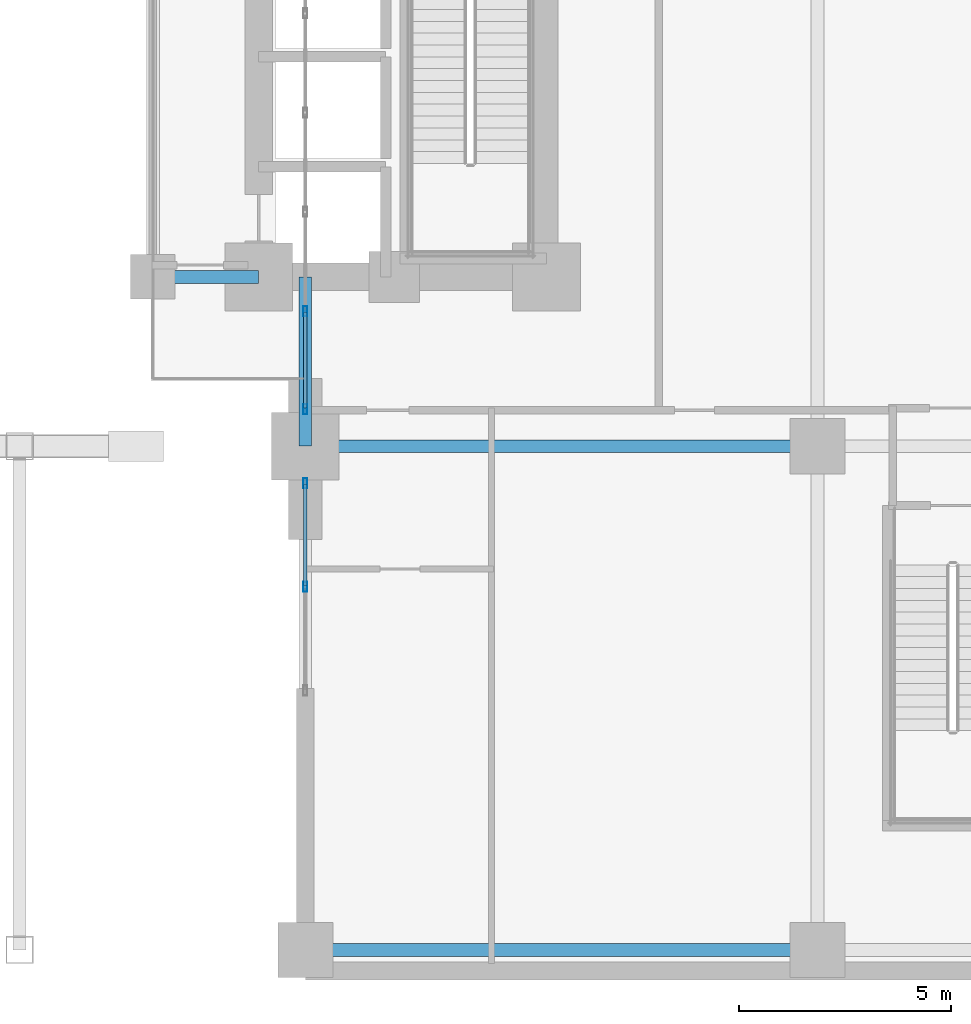
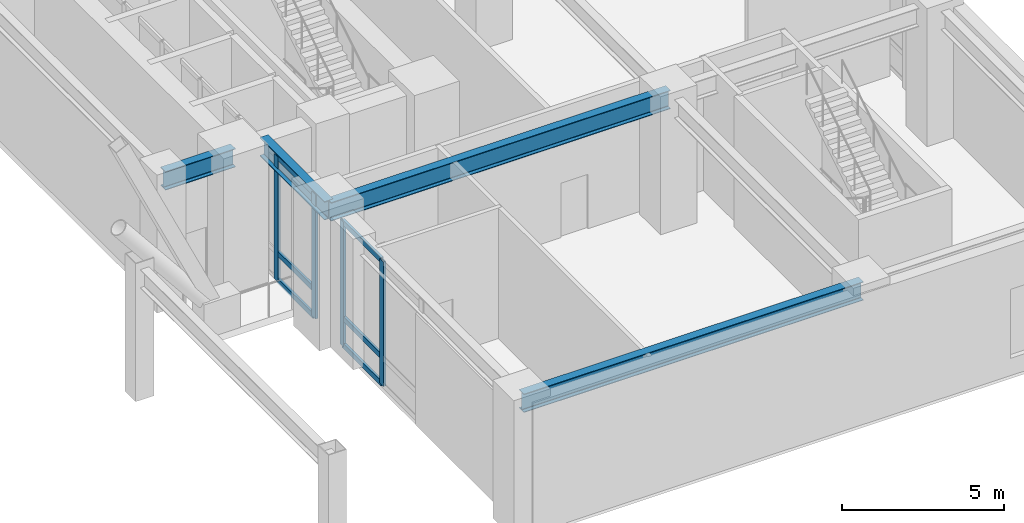
# One storey, part 7 of 26: 10 members, 4 beams, 2 elements without a shape of their own.
"""IFC4 building model written with IfcOpenShell, lengths in metres."""

import ifcopenshell
import ifcopenshell.guid

model = None  # the IFC model being written
_history = None  # IfcOwnerHistory: only IFC2X3 demands one
_inside = {}  # id of a spatial element -> (the spatial element, [elements in it])
_under = {}  # id of a project, library or spatial element -> (it, [spatial elements below it])
_declared = {}  # id of a project -> (the project, [libraries it declares])
_typed = {}  # id of a type object -> (the type object, [elements of that type])
_made_of = {}  # id of a material, layer set ... -> (it, [elements and type objects made of it])


def new_model(schema):
    """Start an empty IFC model of exactly this schema.

    Asked for "IFC4X3", IfcOpenShell would pick the latest addendum, in which some entities
    have other attributes; the version numbers below select the first issue.
    IFC2X3 requires an IfcOwnerHistory on every rooted entity: one is made here for all.
    """
    global model, _history
    if schema == "IFC4X3":
        model = ifcopenshell.file(schema_version=(4, 3, 0, 0))
    else:
        model = ifcopenshell.file(schema=schema)
    _inside.clear()
    _under.clear()
    _declared.clear()
    _typed.clear()
    _made_of.clear()
    _history = None
    if model.schema == "IFC2X3":
        org = make("IfcOrganization", Name="unknown")
        user = make(
            "IfcPersonAndOrganization",
            ThePerson=make("IfcPerson", FamilyName="unknown"),
            TheOrganization=org,
        )
        app = make(
            "IfcApplication",
            ApplicationDeveloper=org,
            Version="unknown",
            ApplicationFullName="unknown",
            ApplicationIdentifier="unknown",
        )
        _history = make(
            "IfcOwnerHistory",
            OwningUser=user,
            OwningApplication=app,
            ChangeAction="ADDED",
            CreationDate=0,
        )
    return model


def make(cls, **values):
    """One entity of the class cls with the attributes given. An attribute that is None is left unset."""
    return model.create_entity(
        cls, **{name: value for name, value in values.items() if value is not None}
    )


def rooted(cls, **values):
    """An entity with a GlobalId (a new one), such as an element, a storey or a relation."""
    return make(cls, GlobalId=ifcopenshell.guid.new(), OwnerHistory=_history, **values)


def si_unit(unit_type, name, prefix=None):
    """IfcSIUnit, for example si_unit("LENGTHUNIT", "METRE", prefix="MILLI")."""
    return make("IfcSIUnit", UnitType=unit_type, Prefix=prefix, Name=name)


def assignment(units):
    """IfcUnitAssignment: the units of a project."""
    return None if units is None else make("IfcUnitAssignment", Units=units)


def point(xyz):
    """IfcCartesianPoint."""
    return None if xyz is None else make("IfcCartesianPoint", Coordinates=xyz)


def direction(xyz):
    """IfcDirection."""
    return None if xyz is None else make("IfcDirection", DirectionRatios=xyz)


def frame(location, z_axis=None, x_axis=None):
    """IfcAxis2Placement3D, a coordinate frame: its origin and axes. An axis left out is left unset."""
    return make(
        "IfcAxis2Placement3D",
        Location=point(location),
        Axis=direction(z_axis),
        RefDirection=direction(x_axis),
    )


def frame_2d(location, x_axis=None):
    """IfcAxis2Placement2D, a coordinate frame in the plane: its origin and x axis."""
    return make(
        "IfcAxis2Placement2D", Location=point(location), RefDirection=direction(x_axis)
    )


def origin():
    """The frame at (0, 0, 0) with its axes left unset."""
    return frame((0.0, 0.0, 0.0))


def origin_2d():
    """The frame at (0, 0) in the plane with its x axis left unset."""
    return frame_2d((0.0, 0.0))


def place(relative_to, where):
    """IfcLocalPlacement: puts the frame where relative to a parent placement (None: the world)."""
    return make(
        "IfcLocalPlacement", PlacementRelTo=relative_to, RelativePlacement=where
    )


def context(
    kind, dimensions, precision=None, world=None, true_north=None, identifier=None
):
    """IfcGeometricRepresentationContext, for example the 3D "Model" context."""
    return make(
        "IfcGeometricRepresentationContext",
        ContextIdentifier=identifier,
        ContextType=kind,
        CoordinateSpaceDimension=dimensions,
        Precision=precision,
        WorldCoordinateSystem=world,
        TrueNorth=true_north,
    )


def subcontext(parent, identifier, kind, view, scale=None):
    """IfcGeometricRepresentationSubContext, for example "Body" below "Model"."""
    return make(
        "IfcGeometricRepresentationSubContext",
        ContextIdentifier=identifier,
        ContextType=kind,
        ParentContext=parent,
        TargetScale=scale,
        TargetView=view,
    )


def project(units=None, contexts=None):
    """IfcProject with its units and contexts."""
    return rooted(
        "IfcProject",
        Name="project",
        RepresentationContexts=contexts,
        UnitsInContext=assignment(units),
    )


def spatial(cls, under=None, at=None, **own):
    """A site, building, storey or space (cls), placed at a placement, below another one or the project."""
    s = rooted(cls, ObjectPlacement=at, **own)
    if under is not None:
        _under.setdefault(under.id(), (under, []))[1].append(s)
    return s


def profile(cls, at=None, kind="AREA", **sizes):
    """A parametric profile (cls). Its sizes go by their IFC names, for example OverallWidth=200.0."""
    return make(cls, ProfileType=kind, Position=at, **sizes)


def hollow_rectangle(**sizes):
    """IfcRectangleHollowProfileDef."""
    return profile("IfcRectangleHollowProfileDef", **sizes)


def i_section(**sizes):
    """IfcIShapeProfileDef."""
    return profile("IfcIShapeProfileDef", **sizes)


def extrude(swept, where, along, depth):
    """IfcExtrudedAreaSolid: the profile swept, set in the frame where, extruded along a direction by depth."""
    return make(
        "IfcExtrudedAreaSolid",
        SweptArea=swept,
        Position=where,
        ExtrudedDirection=direction(along),
        Depth=depth,
    )


def shape(context_of_items, identifier, shape_type, items):
    """IfcShapeRepresentation: the items that make up one representation, for example the "Body"."""
    return make(
        "IfcShapeRepresentation",
        ContextOfItems=context_of_items,
        RepresentationIdentifier=identifier,
        RepresentationType=shape_type,
        Items=items,
    )


def material(Name=None, Category=None):
    """IfcMaterial."""
    return make("IfcMaterial", Name=Name, Category=Category)


def layer(
    of_material, thickness, ventilated=None, Name=None, Category=None, Priority=None
):
    """IfcMaterialLayer: one layer of a wall or slab, of a material (None: an air gap)."""
    return make(
        "IfcMaterialLayer",
        Material=of_material,
        LayerThickness=thickness,
        IsVentilated=ventilated,
        Name=Name,
        Category=Category,
        Priority=Priority,
    )


def layer_set(layers, Name=None):
    """IfcMaterialLayerSet."""
    return make("IfcMaterialLayerSet", MaterialLayers=layers, LayerSetName=Name)


def material_profile(
    of_material, cross_section, Name=None, Category=None, Priority=None
):
    """IfcMaterialProfile: a cross section and its material."""
    return make(
        "IfcMaterialProfile",
        Name=Name,
        Material=of_material,
        Profile=cross_section,
        Priority=Priority,
        Category=Category,
    )


def profile_set(profiles, Name=None, composite=None):
    """IfcMaterialProfileSet."""
    return make(
        "IfcMaterialProfileSet",
        Name=Name,
        MaterialProfiles=profiles,
        CompositeProfile=composite,
    )


def made_of(thing, what):
    """Note that an element or type object is made of a material, layer set ...; save() writes the relation."""
    if what is not None:
        _made_of.setdefault(what.id(), (what, []))[1].append(thing)
    return thing


def type_object(cls, material=None, **own):
    """A type object (cls), such as IfcWallType, which elements share."""
    return made_of(rooted(cls, **own), material)


def element(
    cls,
    number,
    at=None,
    inside=None,
    cuts=None,
    type_object=None,
    material=None,
    context=None,
    identifier="Body",
    shape_type=None,
    held_by="IfcProductDefinitionShape",
    body=None,
    shapes=None,
    **own,
):
    """One element of the class cls, such as IfcWall. Its Tag is "e" and its number.

    at: its placement. inside: the storey or other place that contains it. cuts: it is an
    opening in that element (IfcRelVoidsElement). A single representation is given by context,
    identifier, shape_type and body (its items); several are given by shapes. held_by: the class
    of the entity that holds the representations. save() writes the other relations.
    """
    e = rooted(cls, Tag="e%d" % number, ObjectPlacement=at, **own)
    if body is not None:
        shapes = [shape(context, identifier, shape_type, body)]
    if shapes is not None:
        e.Representation = make(held_by, Representations=shapes)
    if inside is not None:
        _inside.setdefault(inside.id(), (inside, []))[1].append(e)
    if cuts is not None:
        rooted(
            "IfcRelVoidsElement", RelatingBuildingElement=cuts, RelatedOpeningElement=e
        )
    if type_object is not None:
        _typed.setdefault(type_object.id(), (type_object, []))[1].append(e)
    return made_of(e, material)


def aggregate(whole, parts):
    """IfcRelAggregates: a whole, such as a stair, and the parts it consists of."""
    return rooted("IfcRelAggregates", RelatingObject=whole, RelatedObjects=parts)


def save(model, path):
    """Write the relations noted so far, then the file.

    IfcRelAggregates (storeys below a building ...), IfcRelContainedInSpatialStructure (elements
    in a storey), IfcRelDefinesByType, IfcRelAssociatesMaterial and IfcRelDeclares: one each for
    every whole, place, type object, material and project.
    """
    for whole, parts in _under.values():
        aggregate(whole, parts)
    for where, things in _inside.values():
        rooted(
            "IfcRelContainedInSpatialStructure",
            RelatedElements=things,
            RelatingStructure=where,
        )
    for kind, things in _typed.values():
        rooted("IfcRelDefinesByType", RelatedObjects=things, RelatingType=kind)
    for what, things in _made_of.values():
        rooted("IfcRelAssociatesMaterial", RelatedObjects=things, RelatingMaterial=what)
    for by, libraries in _declared.values():
        rooted("IfcRelDeclares", RelatingContext=by, RelatedDefinitions=libraries)
    model.write(path)


model = new_model("IFC4")

# Units and contexts
model_context = context("Model", 3, precision=1e-05, world=origin(), true_north=direction((0.0, 1.0)))
body_context = subcontext(model_context, "Body", "Model", "MODEL_VIEW")
ifc_project = project(units=[si_unit("LENGTHUNIT", "METRE"), si_unit("AREAUNIT", "SQUARE_METRE"), si_unit("VOLUMEUNIT", "CUBIC_METRE"), si_unit("PLANEANGLEUNIT", "RADIAN"), si_unit("MASSUNIT", "GRAM", prefix="KILO")], contexts=[model_context])

# Site, building, storey
site_placement = place(None, origin())
site = spatial("IfcSite", under=ifc_project, at=site_placement, CompositionType="ELEMENT")
building_placement = place(site_placement, origin())
building = spatial("IfcBuilding", under=site, at=building_placement, Name="Voryun Gate Residences", CompositionType="ELEMENT")
storey_placement = place(building_placement, frame((0.0, 0.0, 10.39990234375)))
storey = spatial("IfcBuildingStorey", under=building, at=storey_placement, Name="L02", CompositionType="ELEMENT", Elevation=10.39990234375)

# Beams
ifc_material_1 = material(Name="Steel SM355", Category="steel")
ifc_material_profile_1 = material_profile(ifc_material_1, i_section(OverallWidth=0.300048828125, OverallDepth=0.699951171875, WebThickness=0.012939453125, FlangeThickness=0.02392578125, FilletRadius=0.01806640625, at=origin_2d()), Name="H-700x300x13x24")
ifc_profile_set_1 = profile_set([ifc_material_profile_1], Name="Steel SM355")
beam_type = type_object("IfcBeamType", Name="BM_GIRD_700", PredefinedType="USERDEFINED", material=ifc_profile_set_1)
beam_1_placement = place(storey_placement, frame((12.39990234375, -7.39990234375, 4.570068359375), z_axis=(-1.0, 0.0, 0.0), x_axis=(0.0, -1.0, 0.0)))
element("IfcBeam", 1, at=beam_1_placement, inside=storey, type_object=beam_type, Name="BM-L02-CLRX-CLR-ES", ObjectType="GIRDER", PredefinedType="USERDEFINED", context=body_context, shape_type="SweptSolid", body=[
    extrude(i_section(OverallWidth=0.300048828125, OverallDepth=0.699951171875, WebThickness=0.012939453125, FlangeThickness=0.02392578125, FilletRadius=0.01806640625, at=origin_2d()), origin(), (0.0, 0.0, 1.0), 2.5),
])
for number, where, z_axis, x_axis, name in (
    (2, (13.5, -23.300048828125, 4.570068359375), (1.0, 0.0, 0.0), (0.0, 1.0, 0.0), "BM-L02-PEX--23.3-0"),
    (3, (13.5, -11.39990234375, 4.570068359375), (1.0, 0.0, 0.0), (0.0, 1.0, 0.0), "BM-L02-PEX--11.4-0"),
):
    element("IfcBeam", number, at=place(storey_placement, frame(where, z_axis=z_axis, x_axis=x_axis)), inside=storey, type_object=beam_type, Name=name, ObjectType="GIRDER", PredefinedType="USERDEFINED", context=body_context, shape_type="SweptSolid", body=[
        extrude(i_section(OverallWidth=0.300048828125, OverallDepth=0.699951171875, WebThickness=0.012939453125, FlangeThickness=0.02392578125, FilletRadius=0.01806640625, at=origin_2d()), origin(), (0.0, 0.0, 1.0), 12.10009765625),
    ])
beam_2_placement = place(storey_placement, frame((13.5, -11.39990234375, 4.570068359375), z_axis=(0.0, 1.0, 0.0), x_axis=(-1.0, 0.0, 0.0)))
element("IfcBeam", 4, at=beam_2_placement, inside=storey, type_object=beam_type, Name="BM-L02-PEYA--11.4", ObjectType="GIRDER", PredefinedType="USERDEFINED", context=body_context, shape_type="SweptSolid", body=[
    extrude(i_section(OverallWidth=0.300048828125, OverallDepth=0.699951171875, WebThickness=0.012939453125, FlangeThickness=0.02392578125, FilletRadius=0.01806640625, at=origin_2d()), origin(), (0.0, 0.0, 1.0), 4.0),
])

# Curtain wall, members
ifc_material_2 = material(Name="Anodised aluminium", Category="aluminium")
ifc_layer = layer(ifc_material_2, 0.239990234375, Name="CW_SYS_ARCH_DARK_GLASS")
ifc_layer_set = layer_set([ifc_layer], Name="Anodised aluminium")
curtain_wall_type = type_object("IfcCurtainWallType", Name="CW_SYS_ARCH_DARK_GLASS", PredefinedType="NOTDEFINED", material=ifc_layer_set)
curtain_wall_1_placement = place(storey_placement, origin())
curtain_wall_1 = element("IfcCurtainWall", 5, at=curtain_wall_1_placement, inside=storey, type_object=curtain_wall_type, Name="Curtain wall CW2-L02-EP-S", PredefinedType="NOTDEFINED")
ifc_material_3 = material(Name="Anodised aluminium", Category="aluminium")
ifc_material_profile_2 = material_profile(ifc_material_3, hollow_rectangle(XDim=0.090087890625, YDim=0.239990234375, WallThickness=0.006103515625, at=origin_2d()), Name="ALU-MULL-240x90x6")
ifc_profile_set_2 = profile_set([ifc_material_profile_2], Name="Anodised aluminium")
member_type_1 = type_object("IfcMemberType", Name="CW_MULL_ARCH", PredefinedType="MULLION", material=ifc_profile_set_2)
member_1_placement = place(storey_placement, frame((13.5, -14.722412109375, 0.0), z_axis=(0.0, 0.0, 1.0), x_axis=(-1.0, 0.0, 0.0)))
member_1 = element("IfcMember", 6, at=member_1_placement, type_object=member_type_1, Name="CW2 mullion 2", PredefinedType="MULLION", context=body_context, shape_type="SweptSolid", body=[
    extrude(hollow_rectangle(XDim=0.090087890625, YDim=0.239990234375, WallThickness=0.006103515625, at=origin_2d()), origin(), (0.0, 0.0, 1.0), 4.7001953125),
])
member_2_placement = place(storey_placement, frame((13.5, -12.27490234375, 0.0), z_axis=(0.0, 0.0, 1.0), x_axis=(-1.0, 0.0, 0.0)))
member_2 = element("IfcMember", 7, at=member_2_placement, type_object=member_type_1, Name="CW2 mullion 3", PredefinedType="MULLION", context=body_context, shape_type="SweptSolid", body=[
    extrude(hollow_rectangle(XDim=0.090087890625, YDim=0.239990234375, WallThickness=0.006103515625, at=origin_2d()), origin(), (0.0, 0.0, 1.0), 4.7001953125),
])

curtain_wall_2_placement = place(storey_placement, origin())
curtain_wall_2 = element("IfcCurtainWall", 8, at=curtain_wall_2_placement, inside=storey, type_object=curtain_wall_type, Name="Curtain wall CW2-L02-EP-M", PredefinedType="NOTDEFINED")
member_3_placement = place(storey_placement, frame((13.5, -10.52490234375, 0.0), z_axis=(0.0, 0.0, 1.0), x_axis=(-1.0, 0.0, 0.0)))
member_3 = element("IfcMember", 9, at=member_3_placement, type_object=member_type_1, Name="CW2 mullion 1", PredefinedType="MULLION", context=body_context, shape_type="SweptSolid", body=[
    extrude(hollow_rectangle(XDim=0.090087890625, YDim=0.239990234375, WallThickness=0.006103515625, at=origin_2d()), origin(), (0.0, 0.0, 1.0), 4.7001953125),
])
member_4_placement = place(storey_placement, frame((13.5, -8.20947265625, 0.0), z_axis=(0.0, 0.0, 1.0), x_axis=(-1.0, 0.0, 0.0)))
member_4 = element("IfcMember", 10, at=member_4_placement, type_object=member_type_1, Name="CW2 mullion 2", PredefinedType="MULLION", context=body_context, shape_type="SweptSolid", body=[
    extrude(hollow_rectangle(XDim=0.090087890625, YDim=0.239990234375, WallThickness=0.006103515625, at=origin_2d()), origin(), (0.0, 0.0, 1.0), 4.7001953125),
])

# Member
ifc_material_4 = material(Name="Anodised aluminium", Category="aluminium")
ifc_material_profile_3 = material_profile(ifc_material_4, hollow_rectangle(XDim=0.090087890625, YDim=0.199951171875, WallThickness=0.006103515625, at=origin_2d()), Name="ALU-TRAN-200x90x6")
ifc_profile_set_3 = profile_set([ifc_material_profile_3], Name="Anodised aluminium")
member_type_2 = type_object("IfcMemberType", Name="CW_TRAN_ARCH", PredefinedType="USERDEFINED", material=ifc_profile_set_3)
member_5_placement = place(storey_placement, frame((13.5, -14.6923828125, 0.030029296875), z_axis=(0.0, 1.0, 0.0), x_axis=(-1.0, 0.0, 0.0)))
member_5 = element("IfcMember", 11, at=member_5_placement, type_object=member_type_2, Name="CW2 transom 2.1", ObjectType="TRANSOM", PredefinedType="USERDEFINED", context=body_context, shape_type="SweptSolid", body=[
    extrude(hollow_rectangle(XDim=0.090087890625, YDim=0.199951171875, WallThickness=0.006103515625, at=origin_2d()), origin(), (0.0, 0.0, 1.0), 2.387451171875),
])

member_6_placement = place(storey_placement, frame((13.5, -14.6923828125, 1.050048828125), z_axis=(0.0, 1.0, 0.0), x_axis=(-1.0, 0.0, 0.0)))
member_6 = element("IfcMember", 12, at=member_6_placement, type_object=member_type_2, Name="CW2 transom 2.2", ObjectType="TRANSOM", PredefinedType="USERDEFINED", context=body_context, shape_type="SweptSolid", body=[
    extrude(hollow_rectangle(XDim=0.090087890625, YDim=0.199951171875, WallThickness=0.006103515625, at=origin_2d()), origin(), (0.0, 0.0, 1.0), 2.387451171875),
])

member_7_placement = place(storey_placement, frame((13.5, -14.6923828125, 4.670166015625), z_axis=(0.0, 1.0, 0.0), x_axis=(-1.0, 0.0, 0.0)))
member_7 = element("IfcMember", 13, at=member_7_placement, type_object=member_type_2, Name="CW2 transom 2.3", ObjectType="TRANSOM", PredefinedType="USERDEFINED", context=body_context, shape_type="SweptSolid", body=[
    extrude(hollow_rectangle(XDim=0.090087890625, YDim=0.199951171875, WallThickness=0.006103515625, at=origin_2d()), origin(), (0.0, 0.0, 1.0), 2.387451171875),
])

aggregate(curtain_wall_1, [member_1, member_2, member_5, member_6, member_7])

member_8_placement = place(storey_placement, frame((13.5, -10.4951171875, 0.030029296875), z_axis=(0.0, 1.0, 0.0), x_axis=(-1.0, 0.0, 0.0)))
member_8 = element("IfcMember", 14, at=member_8_placement, type_object=member_type_2, Name="CW2 transom 1.1", ObjectType="TRANSOM", PredefinedType="USERDEFINED", context=body_context, shape_type="SweptSolid", body=[
    extrude(hollow_rectangle(XDim=0.090087890625, YDim=0.199951171875, WallThickness=0.006103515625, at=origin_2d()), origin(), (0.0, 0.0, 1.0), 2.255615234375),
])

member_9_placement = place(storey_placement, frame((13.5, -10.4951171875, 1.050048828125), z_axis=(0.0, 1.0, 0.0), x_axis=(-1.0, 0.0, 0.0)))
member_9 = element("IfcMember", 15, at=member_9_placement, type_object=member_type_2, Name="CW2 transom 1.2", ObjectType="TRANSOM", PredefinedType="USERDEFINED", context=body_context, shape_type="SweptSolid", body=[
    extrude(hollow_rectangle(XDim=0.090087890625, YDim=0.199951171875, WallThickness=0.006103515625, at=origin_2d()), origin(), (0.0, 0.0, 1.0), 2.255615234375),
])

member_10_placement = place(storey_placement, frame((13.5, -10.4951171875, 4.670166015625), z_axis=(0.0, 1.0, 0.0), x_axis=(-1.0, 0.0, 0.0)))
member_10 = element("IfcMember", 16, at=member_10_placement, type_object=member_type_2, Name="CW2 transom 1.3", ObjectType="TRANSOM", PredefinedType="USERDEFINED", context=body_context, shape_type="SweptSolid", body=[
    extrude(hollow_rectangle(XDim=0.090087890625, YDim=0.199951171875, WallThickness=0.006103515625, at=origin_2d()), origin(), (0.0, 0.0, 1.0), 2.255615234375),
])

aggregate(curtain_wall_2, [member_3, member_4, member_8, member_9, member_10])

save(model, "model.ifc")
